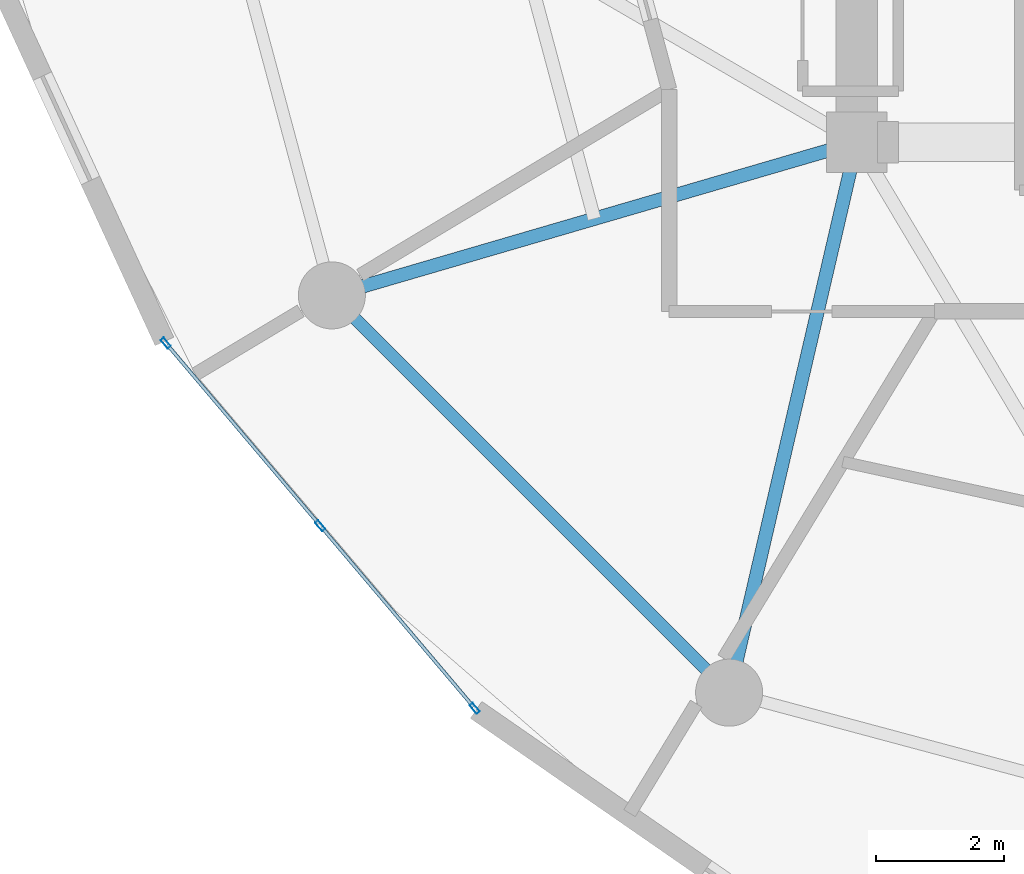
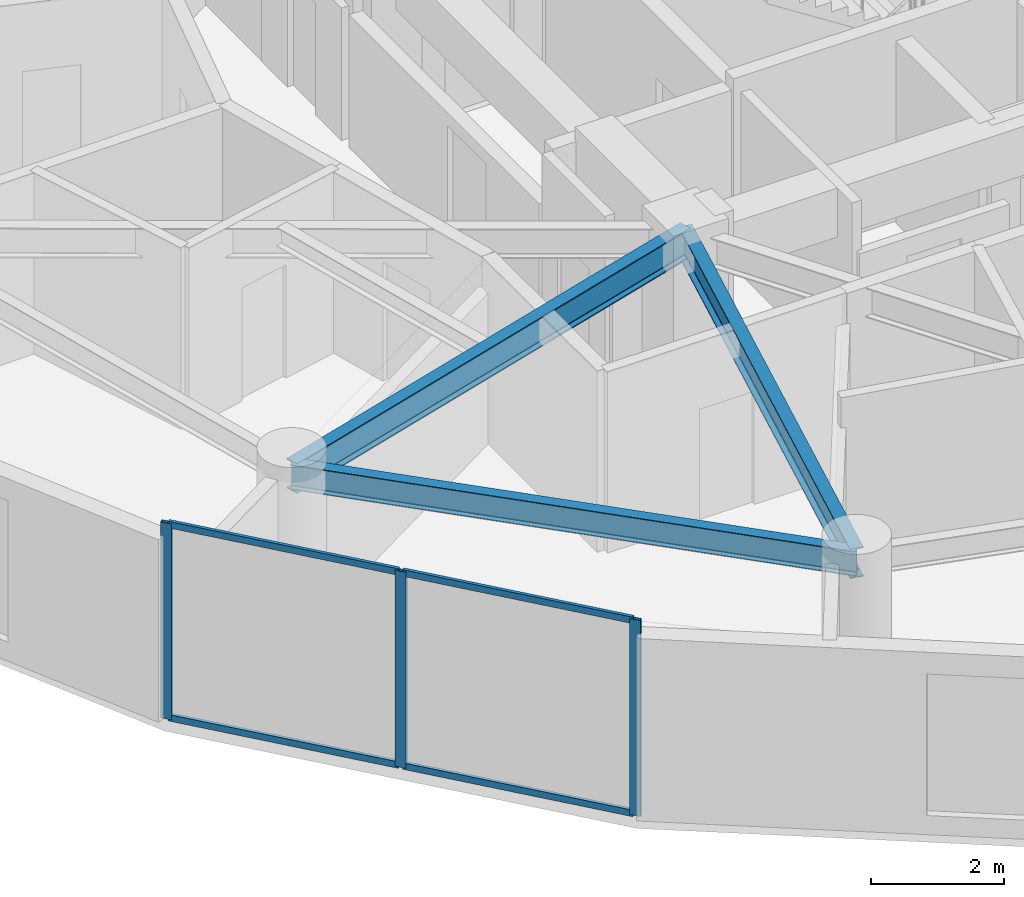
# One storey, part 2 of 23: 7 members, 3 beams, 1 element without a shape of its own.
"""IFC4 building model written with IfcOpenShell, lengths in metres."""

from ifc_helpers import new_model, si_unit, direction, frame, origin, origin_2d, place, context, subcontext, project, spatial, hollow_rectangle, i_section, extrude, source, transform, mapped, material, layer, layer_set, material_profile, profile_set, type_object, element, aggregate, save


model = new_model("IFC4")

# Units and contexts
model_context = context("Model", 3, precision=1e-05, world=origin(), true_north=direction((0.0, 1.0)))
body_context = subcontext(model_context, "Body", "Model", "MODEL_VIEW")
ifc_project = project(units=[si_unit("LENGTHUNIT", "METRE"), si_unit("AREAUNIT", "SQUARE_METRE"), si_unit("VOLUMEUNIT", "CUBIC_METRE"), si_unit("PLANEANGLEUNIT", "RADIAN"), si_unit("MASSUNIT", "GRAM", prefix="KILO")], contexts=[model_context])

# Site, building, storey
site_placement = place(None, origin())
site = spatial("IfcSite", under=ifc_project, at=site_placement, CompositionType="ELEMENT")
building_placement = place(site_placement, origin())
building = spatial("IfcBuilding", under=site, at=building_placement, Name="Solvirekh Grand Hotel", CompositionType="ELEMENT")
storey_placement = place(building_placement, frame((0.0, 0.0, 138.60009765625)))
storey = spatial("IfcBuildingStorey", under=building, at=storey_placement, Name="L35", CompositionType="ELEMENT", Elevation=138.60009765625)

# Beams
ifc_material_1 = material(Name="Steel S355", Category="steel")
ifc_material_profile_1 = material_profile(ifc_material_1, i_section(OverallWidth=0.2119140625, OverallDepth=0.5439453125, WebThickness=0.011962890625, FlangeThickness=0.01904296875, FilletRadius=0.013916015625, at=origin_2d()), Name="W530X123")
ifc_profile_set_1 = profile_set([ifc_material_profile_1], Name="Steel S355")
beam_type_1 = type_object("IfcBeamType", Name="Beam_Radial_W530H", PredefinedType="BEAM", material=ifc_profile_set_1)
beam_1_placement = place(storey_placement, frame((-6.5, -6.10009765625, 3.077880859375), z_axis=(-0.959942195467, -0.28019811092, 0.0), x_axis=(0.28019811092, -0.959942195467, 0.0)))
element("IfcBeam", 1, at=beam_1_placement, inside=storey, type_object=beam_type_1, Name="L35 radial floor beam R08", PredefinedType="BEAM", context=body_context, shape_type="SweptSolid", body=[
    extrude(i_section(OverallWidth=0.2119140625, OverallDepth=0.5439453125, WebThickness=0.011962890625, FlangeThickness=0.01904296875, FilletRadius=0.013916015625, at=origin_2d()), origin(), (0.0, 0.0, 1.0), 8.56494140625),
])
beam_2_placement = place(storey_placement, frame((-6.5, -6.10009765625, 3.077880859375), z_axis=(-0.225969390542, -0.974134402707, 0.0), x_axis=(0.974134402707, -0.225969390542, 0.0)))
element("IfcBeam", 2, at=beam_2_placement, inside=storey, type_object=beam_type_1, Name="L35 radial floor beam R09", PredefinedType="BEAM", context=body_context, shape_type="SweptSolid", body=[
    extrude(i_section(OverallWidth=0.2119140625, OverallDepth=0.5439453125, WebThickness=0.011962890625, FlangeThickness=0.01904296875, FilletRadius=0.013916015625, at=origin_2d()), origin(), (0.0, 0.0, 1.0), 8.850830078125),
])
ifc_material_profile_2 = material_profile(ifc_material_1, i_section(OverallWidth=0.18994140625, OverallDepth=0.45703125, WebThickness=0.009033203125, FlangeThickness=0.013916015625, FilletRadius=0.012939453125, at=origin_2d()), Name="W460X74")
ifc_profile_set_2 = profile_set([ifc_material_profile_2], Name="Steel S355")
beam_type_2 = type_object("IfcBeamType", Name="Spandrel_Ring_W460", PredefinedType="SPANDREL", material=ifc_profile_set_2)
beam_3_placement = place(storey_placement, frame((-14.721923828125, -8.5, 3.120849609375), z_axis=(0.707106781187, -0.707106781187, 0.0), x_axis=(0.707106781187, 0.707106781187, 0.0)))
element("IfcBeam", 3, at=beam_3_placement, inside=storey, type_object=beam_type_2, Name="L35 perimeter spandrel beam 8", PredefinedType="SPANDREL", context=body_context, shape_type="SweptSolid", body=[
    extrude(i_section(OverallWidth=0.18994140625, OverallDepth=0.45703125, WebThickness=0.009033203125, FlangeThickness=0.013916015625, FilletRadius=0.012939453125, at=origin_2d()), origin(), (0.0, 0.0, 1.0), 8.799072265625),
])

# Curtain wall, members
ifc_material_2 = material(Name="Anodized Bronze Aluminium 6063-T6", Category="aluminium")
ifc_layer = layer(ifc_material_2, 0.175048828125)
ifc_layer_set = layer_set([ifc_layer], Name="Anodized Bronze Aluminium 6063-T6")
curtain_wall_type = type_object("IfcCurtainWallType", Name="CW_Sys3_MidZoneFlushBronzeCW", PredefinedType="NOTDEFINED", material=ifc_layer_set)
curtain_wall_placement = place(storey_placement, origin())
curtain_wall = element("IfcCurtainWall", 4, at=curtain_wall_placement, inside=storey, type_object=curtain_wall_type, Name="L35 unitised bronze-glass curtain wall CW-L35-C15", PredefinedType="NOTDEFINED")
ifc_material_profile_3 = material_profile(ifc_material_2, hollow_rectangle(XDim=0.06494140625, YDim=0.175048828125, WallThickness=0.0048828125, at=origin_2d()), Name="ALU RHS 175X65X5")
ifc_profile_set_3 = profile_set([ifc_material_profile_3], Name="Anodized Bronze Aluminium 6063-T6")
member_type_1 = type_object("IfcMemberType", Name="CWMullion_Sys3", PredefinedType="MULLION", material=ifc_profile_set_3)
shared_shape_1 = source(origin(), body_context, "Body", "SweptSolid", [
    extrude(hollow_rectangle(XDim=0.06494140625, YDim=0.175048828125, WallThickness=0.0048828125, at=origin_2d()), origin(), (0.0, 0.0, 1.0), 3.599853515625),
])
member_1_placement = place(storey_placement, frame((-17.322998046875, -9.245849609375, 0.0), z_axis=(0.0, 0.0, 1.0), x_axis=(0.763526783353, 0.645776161764, 0.0)))
member_1 = element("IfcMember", 5, at=member_1_placement, type_object=member_type_1, Name="U03 mullion 1", PredefinedType="MULLION", context=body_context, shape_type="MappedRepresentation", body=[
    mapped(shared_shape_1, transform((0.0, 0.0, 0.0), x_axis=(1.0, 0.0, 0.0), y_axis=(0.0, 1.0, 0.0), z_axis=(0.0, 0.0, 1.0), scale=1.0)),
])
member_2_placement = place(storey_placement, frame((-14.903564453125, -12.1064453125, 0.0), z_axis=(0.0, 0.0, 1.0), x_axis=(0.763526783353, 0.645776161764, 0.0)))
member_2 = element("IfcMember", 6, at=member_2_placement, type_object=member_type_1, Name="U03 mullion 2", PredefinedType="MULLION", context=body_context, shape_type="MappedRepresentation", body=[
    mapped(shared_shape_1, transform((0.0, 0.0, 0.0), x_axis=(1.0, 0.0, 0.0), y_axis=(0.0, 1.0, 0.0), z_axis=(0.0, 0.0, 1.0), scale=1.0)),
])
member_3_placement = place(storey_placement, frame((-12.48388671875, -14.96728515625, 0.0), z_axis=(0.0, 0.0, 1.0), x_axis=(0.763526783353, 0.645776161764, 0.0)))
member_3 = element("IfcMember", 7, at=member_3_placement, type_object=member_type_1, Name="U03 mullion 3", PredefinedType="MULLION", context=body_context, shape_type="MappedRepresentation", body=[
    mapped(shared_shape_1, transform((0.0, 0.0, 0.0), x_axis=(1.0, 0.0, 0.0), y_axis=(0.0, 1.0, 0.0), z_axis=(0.0, 0.0, 1.0), scale=1.0)),
])
ifc_material_profile_4 = material_profile(ifc_material_2, hollow_rectangle(XDim=0.054931640625, YDim=0.1201171875, WallThickness=0.00390625, at=origin_2d()), Name="ALU RHS 120X55X4")
ifc_profile_set_4 = profile_set([ifc_material_profile_4], Name="Anodized Bronze Aluminium 6063-T6")
member_type_2 = type_object("IfcMemberType", Name="CWTransom_Sys3", PredefinedType="USERDEFINED", material=ifc_profile_set_4)
shared_shape_2 = source(origin(), body_context, "Body", "SweptSolid", [
    extrude(hollow_rectangle(XDim=0.054931640625, YDim=0.1201171875, WallThickness=0.00390625, at=origin_2d()), origin(), (0.0, 0.0, 1.0), 3.681884765625),
])
member_4_placement = place(storey_placement, frame((-17.302001953125, -9.2705078125, 0.02734375), z_axis=(0.645731166623, -0.763564837098, 0.0), x_axis=(0.763564837098, 0.645731166623, 0.0)))
member_4 = element("IfcMember", 8, at=member_4_placement, type_object=member_type_2, Name="U03 transom 1.1", ObjectType="TRANSOM", PredefinedType="USERDEFINED", context=body_context, shape_type="MappedRepresentation", body=[
    mapped(shared_shape_2, transform((0.0, 0.0, 0.0), x_axis=(1.0, 0.0, 0.0), y_axis=(0.0, 1.0, 0.0), z_axis=(0.0, 0.0, 1.0), scale=1.0)),
])
member_5_placement = place(storey_placement, frame((-17.302001953125, -9.2705078125, 3.572509765625), z_axis=(0.645731166623, -0.763564837098, 0.0), x_axis=(0.763564837098, 0.645731166623, 0.0)))
member_5 = element("IfcMember", 9, at=member_5_placement, type_object=member_type_2, Name="U03 transom 1.2", ObjectType="TRANSOM", PredefinedType="USERDEFINED", context=body_context, shape_type="MappedRepresentation", body=[
    mapped(shared_shape_2, transform((0.0, 0.0, 0.0), x_axis=(1.0, 0.0, 0.0), y_axis=(0.0, 1.0, 0.0), z_axis=(0.0, 0.0, 1.0), scale=1.0)),
])
shared_shape_3 = source(origin(), body_context, "Body", "SweptSolid", [
    extrude(hollow_rectangle(XDim=0.054931640625, YDim=0.1201171875, WallThickness=0.00390625, at=origin_2d()), origin(), (0.0, 0.0, 1.0), 3.681640625),
])
member_6_placement = place(storey_placement, frame((-14.882568359375, -12.13134765625, 0.02734375), z_axis=(0.645802520298, -0.763504489035, 0.0), x_axis=(0.763504489035, 0.645802520298, 0.0)))
member_6 = element("IfcMember", 10, at=member_6_placement, type_object=member_type_2, Name="U03 transom 2.1", ObjectType="TRANSOM", PredefinedType="USERDEFINED", context=body_context, shape_type="MappedRepresentation", body=[
    mapped(shared_shape_3, transform((0.0, 0.0, 0.0), x_axis=(1.0, 0.0, 0.0), y_axis=(0.0, 1.0, 0.0), z_axis=(0.0, 0.0, 1.0), scale=1.0)),
])
member_7_placement = place(storey_placement, frame((-14.882568359375, -12.13134765625, 3.572509765625), z_axis=(0.645802520298, -0.763504489035, 0.0), x_axis=(0.763504489035, 0.645802520298, 0.0)))
member_7 = element("IfcMember", 11, at=member_7_placement, type_object=member_type_2, Name="U03 transom 2.2", ObjectType="TRANSOM", PredefinedType="USERDEFINED", context=body_context, shape_type="MappedRepresentation", body=[
    mapped(shared_shape_3, transform((0.0, 0.0, 0.0), x_axis=(1.0, 0.0, 0.0), y_axis=(0.0, 1.0, 0.0), z_axis=(0.0, 0.0, 1.0), scale=1.0)),
])
aggregate(curtain_wall, [member_1, member_2, member_3, member_4, member_5, member_6, member_7])

save(model, "model.ifc")
